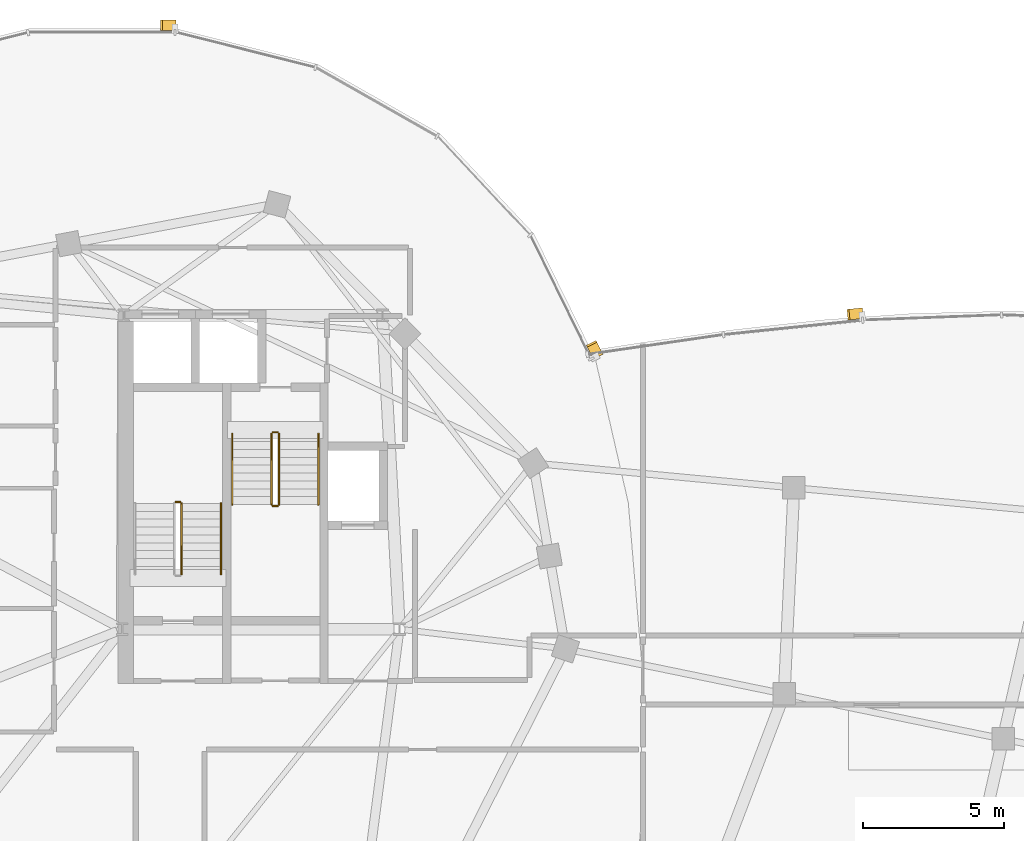
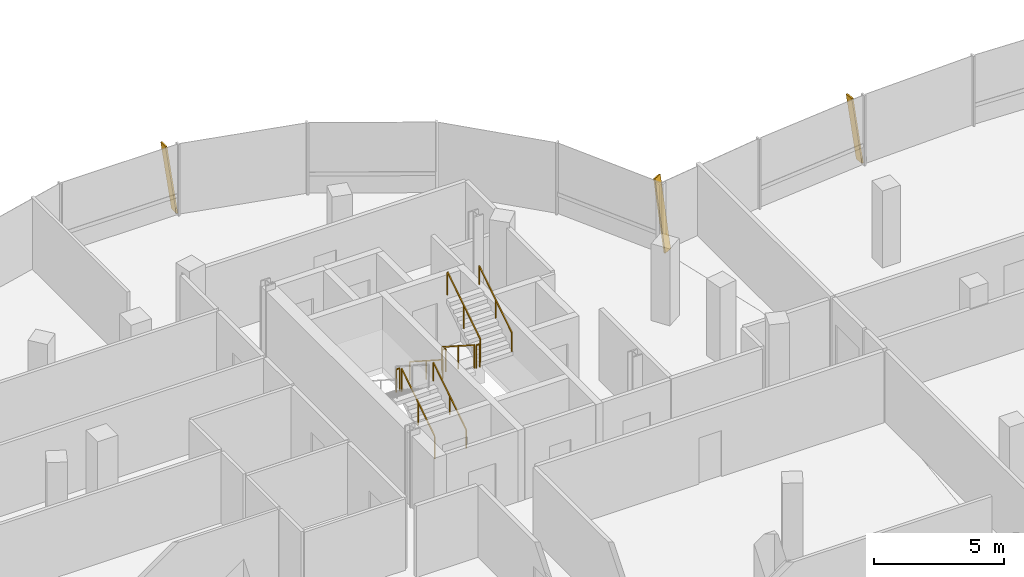
# One storey, part 23 of 25: 9 railings, 3 shading devices.
"""IFC4 building model written with IfcOpenShell, lengths in metres."""

from ifc_helpers import new_model, si_unit, direction, frame, origin, origin_2d, place, context, subcontext, project, spatial, rectangle, extrude, material, material_profile, profile_set, type_object, element, save


model = new_model("IFC4")

# Units and contexts
model_context = context("Model", 3, precision=1e-05, world=origin(), true_north=direction((0.0, 1.0)))
body_context = subcontext(model_context, "Body", "Model", "MODEL_VIEW")
ifc_project = project(units=[si_unit("LENGTHUNIT", "METRE"), si_unit("AREAUNIT", "SQUARE_METRE"), si_unit("VOLUMEUNIT", "CUBIC_METRE"), si_unit("PLANEANGLEUNIT", "RADIAN"), si_unit("MASSUNIT", "GRAM", prefix="KILO"), si_unit("THERMODYNAMICTEMPERATUREUNIT", "KELVIN"), si_unit("POWERUNIT", "WATT")], contexts=[model_context])

# Site, building, storey
site_placement = place(None, origin())
site = spatial("IfcSite", under=ifc_project, at=site_placement, CompositionType="ELEMENT")
building_placement = place(site_placement, origin())
building = spatial("IfcBuilding", under=site, at=building_placement, Name="Cundina Bronze Exchange", CompositionType="ELEMENT")
storey_placement = place(building_placement, frame((0.0, 0.0, 254.0)))
storey = spatial("IfcBuildingStorey", under=building, at=storey_placement, Name="L67", CompositionType="ELEMENT", Elevation=254.0)

# Railings
ifc_material_1 = material(Name="Steel ASTM A36 Painted", Category="steel")
railing_type_1 = type_object("IfcRailingType", Name="RLG-HND-900", PredefinedType="HANDRAIL", material=ifc_material_1)
railing_1_placement = place(storey_placement, frame((-27.7900390625, 5.85009765625, 0.179931640625)))
element("IfcRailing", 1, at=railing_1_placement, inside=storey, type_object=railing_type_1, Name="L67 ST-W1 stair handrail 1", PredefinedType="HANDRAIL", context=body_context, shape_type="SweptSolid", body=[
    extrude(rectangle(XDim=0.048095703125, YDim=0.048095703125, at=origin_2d()), frame((0.0, 0.0, 0.8759765625), z_axis=(0.0, 0.841162588446, 0.540782303519), x_axis=(-1.0, 0.0, 0.0)), (0.0, 0.0, 1.0), 2.995849609375),
    extrude(rectangle(XDim=0.0419921875, YDim=0.0419921875, at=origin_2d()), origin(), (0.0, 0.0, 1.0), 0.851806640625),
    extrude(rectangle(XDim=0.0419921875, YDim=0.0419921875, at=origin_2d()), frame((0.0, 1.260009765625, 0.81005859375)), (0.0, 0.0, 1.0), 0.851806640625),
    extrude(rectangle(XDim=0.0419921875, YDim=0.0419921875, at=origin_2d()), frame((0.0, 2.52001953125, 1.6201171875)), (0.0, 0.0, 1.0), 0.851806640625),
])
railing_2_placement = place(storey_placement, frame((-27.389892578125, 10.85009765625, 0.179931640625)))
element("IfcRailing", 2, at=railing_2_placement, inside=storey, type_object=railing_type_1, Name="L67 ST-W2 stair handrail 1", PredefinedType="HANDRAIL", context=body_context, shape_type="SweptSolid", body=[
    extrude(rectangle(XDim=0.048095703125, YDim=0.048095703125, at=origin_2d()), frame((0.0, 0.0, 0.8759765625), z_axis=(0.0, -0.841162588446, 0.540782303519), x_axis=(1.0, 0.0, 0.0)), (0.0, 0.0, 1.0), 2.995849609375),
    extrude(rectangle(XDim=0.0419921875, YDim=0.0419921875, at=origin_2d()), origin(), (0.0, 0.0, 1.0), 0.851806640625),
    extrude(rectangle(XDim=0.0419921875, YDim=0.0419921875, at=origin_2d()), frame((0.0, -1.260009765625, 0.81005859375)), (0.0, 0.0, 1.0), 0.851806640625),
    extrude(rectangle(XDim=0.0419921875, YDim=0.0419921875, at=origin_2d()), frame((0.0, -2.52001953125, 1.6201171875)), (0.0, 0.0, 1.0), 0.851806640625),
])
railing_3_placement = place(storey_placement, frame((-24.330078125, 8.330078125, 1.97998046875)))
element("IfcRailing", 3, at=railing_3_placement, inside=storey, type_object=railing_type_1, Name="L67 ST-W2 stair handrail 2", PredefinedType="HANDRAIL", context=body_context, shape_type="SweptSolid", body=[
    extrude(rectangle(XDim=0.048095703125, YDim=0.048095703125, at=origin_2d()), frame((0.0, 0.0, 0.8759765625), z_axis=(0.0, 0.841162588446, 0.540782303519), x_axis=(-1.0, 0.0, 0.0)), (0.0, 0.0, 1.0), 2.995849609375),
    extrude(rectangle(XDim=0.0419921875, YDim=0.0419921875, at=origin_2d()), origin(), (0.0, 0.0, 1.0), 0.851806640625),
    extrude(rectangle(XDim=0.0419921875, YDim=0.0419921875, at=origin_2d()), frame((0.0, 1.260009765625, 0.81005859375)), (0.0, 0.0, 1.0), 0.851806640625),
    extrude(rectangle(XDim=0.0419921875, YDim=0.0419921875, at=origin_2d()), frame((0.0, 2.52001953125, 1.6201171875)), (0.0, 0.0, 1.0), 0.851806640625),
])
railing_type_2 = type_object("IfcRailingType", Name="RLG-STG-1100", PredefinedType="GUARDRAIL", material=ifc_material_1)
railing_4_placement = place(storey_placement, frame((-29.18994140625, 5.85009765625, 0.179931640625)))
element("IfcRailing", 4, at=railing_4_placement, inside=storey, type_object=railing_type_2, Name="L67 ST-W1 stair guard 1", PredefinedType="GUARDRAIL", context=body_context, shape_type="SweptSolid", body=[
    extrude(rectangle(XDim=0.048095703125, YDim=0.048095703125, at=origin_2d()), frame((0.0, 0.0, 1.076171875), z_axis=(0.0, 0.841162588446, 0.540782303519), x_axis=(-1.0, 0.0, 0.0)), (0.0, 0.0, 1.0), 2.995849609375),
    extrude(rectangle(XDim=0.0419921875, YDim=0.0419921875, at=origin_2d()), origin(), (0.0, 0.0, 1.0), 1.052001953125),
    extrude(rectangle(XDim=0.0419921875, YDim=0.0419921875, at=origin_2d()), frame((0.0, 1.260009765625, 0.81005859375)), (0.0, 0.0, 1.0), 1.052001953125),
    extrude(rectangle(XDim=0.0419921875, YDim=0.0419921875, at=origin_2d()), frame((0.0, 2.52001953125, 1.6201171875)), (0.0, 0.0, 1.0), 1.052001953125),
])
railing_5_placement = place(storey_placement, frame((-29.239990234375, 8.419921875, 1.800048828125)))
element("IfcRailing", 5, at=railing_5_placement, inside=storey, type_object=railing_type_2, Name="L67 ST-W1 stair guard 2", PredefinedType="GUARDRAIL", context=body_context, shape_type="SweptSolid", body=[
    extrude(rectangle(XDim=0.048095703125, YDim=0.048095703125, at=origin_2d()), frame((0.0, 0.0, 1.076171875), z_axis=(-1.0, 0.0, 0.0), x_axis=(0.0, -1.0, 0.0)), (0.0, 0.0, 1.0), 0.159912109375),
    extrude(rectangle(XDim=0.0419921875, YDim=0.0419921875, at=origin_2d()), origin(), (0.0, 0.0, 1.0), 1.052001953125),
    extrude(rectangle(XDim=0.0419921875, YDim=0.0419921875, at=origin_2d()), frame((-0.159912109375, 0.0, 0.0)), (0.0, 0.0, 1.0), 1.052001953125),
])
railing_6_placement = place(storey_placement, frame((-25.989990234375, 10.85009765625, 0.179931640625)))
element("IfcRailing", 6, at=railing_6_placement, inside=storey, type_object=railing_type_2, Name="L67 ST-W2 stair guard 1", PredefinedType="GUARDRAIL", context=body_context, shape_type="SweptSolid", body=[
    extrude(rectangle(XDim=0.048095703125, YDim=0.048095703125, at=origin_2d()), frame((0.0, 0.0, 1.076171875), z_axis=(0.0, -0.841162588446, 0.540782303519), x_axis=(1.0, 0.0, 0.0)), (0.0, 0.0, 1.0), 2.995849609375),
    extrude(rectangle(XDim=0.0419921875, YDim=0.0419921875, at=origin_2d()), origin(), (0.0, 0.0, 1.0), 1.052001953125),
    extrude(rectangle(XDim=0.0419921875, YDim=0.0419921875, at=origin_2d()), frame((0.0, -1.260009765625, 0.81005859375)), (0.0, 0.0, 1.0), 1.052001953125),
    extrude(rectangle(XDim=0.0419921875, YDim=0.0419921875, at=origin_2d()), frame((0.0, -2.52001953125, 1.6201171875)), (0.0, 0.0, 1.0), 1.052001953125),
])
railing_7_placement = place(storey_placement, frame((-25.93994140625, 8.280029296875, 1.800048828125)))
element("IfcRailing", 7, at=railing_7_placement, inside=storey, type_object=railing_type_2, Name="L67 ST-W2 stair guard 2", PredefinedType="GUARDRAIL", context=body_context, shape_type="SweptSolid", body=[
    extrude(rectangle(XDim=0.048095703125, YDim=0.048095703125, at=origin_2d()), frame((0.0, 0.0, 1.076171875), z_axis=(1.0, 0.0, 0.0), x_axis=(0.0, 1.0, 0.0)), (0.0, 0.0, 1.0), 0.159912109375),
    extrude(rectangle(XDim=0.0419921875, YDim=0.0419921875, at=origin_2d()), origin(), (0.0, 0.0, 1.0), 1.052001953125),
    extrude(rectangle(XDim=0.0419921875, YDim=0.0419921875, at=origin_2d()), frame((0.159912109375, 0.0, 0.0)), (0.0, 0.0, 1.0), 1.052001953125),
])
railing_8_placement = place(storey_placement, frame((-25.72998046875, 8.330078125, 1.97998046875)))
element("IfcRailing", 8, at=railing_8_placement, inside=storey, type_object=railing_type_2, Name="L67 ST-W2 stair guard 3", PredefinedType="GUARDRAIL", context=body_context, shape_type="SweptSolid", body=[
    extrude(rectangle(XDim=0.048095703125, YDim=0.048095703125, at=origin_2d()), frame((0.0, 0.0, 1.076171875), z_axis=(0.0, 0.841162588446, 0.540782303519), x_axis=(-1.0, 0.0, 0.0)), (0.0, 0.0, 1.0), 2.995849609375),
    extrude(rectangle(XDim=0.0419921875, YDim=0.0419921875, at=origin_2d()), origin(), (0.0, 0.0, 1.0), 1.052001953125),
    extrude(rectangle(XDim=0.0419921875, YDim=0.0419921875, at=origin_2d()), frame((0.0, 1.260009765625, 0.81005859375)), (0.0, 0.0, 1.0), 1.052001953125),
    extrude(rectangle(XDim=0.0419921875, YDim=0.0419921875, at=origin_2d()), frame((0.0, 2.52001953125, 1.6201171875)), (0.0, 0.0, 1.0), 1.052001953125),
])
railing_9_placement = place(storey_placement, frame((-25.93994140625, 10.89990234375, 0.0)))
element("IfcRailing", 9, at=railing_9_placement, inside=storey, type_object=railing_type_2, Name="L67 ST-W2 stair guard 4", PredefinedType="GUARDRAIL", context=body_context, shape_type="SweptSolid", body=[
    extrude(rectangle(XDim=0.048095703125, YDim=0.048095703125, at=origin_2d()), frame((0.0, 0.0, 1.076171875), z_axis=(1.0, 0.0, 0.0), x_axis=(0.0, 1.0, 0.0)), (0.0, 0.0, 1.0), 0.159912109375),
    extrude(rectangle(XDim=0.0419921875, YDim=0.0419921875, at=origin_2d()), origin(), (0.0, 0.0, 1.0), 1.052001953125),
    extrude(rectangle(XDim=0.0419921875, YDim=0.0419921875, at=origin_2d()), frame((0.159912109375, 0.0, 0.0)), (0.0, 0.0, 1.0), 1.052001953125),
])

# Shading devices
ifc_material_2 = material(Name="Anodised Bronze Aluminium 6063-T6", Category="aluminium")
ifc_material_profile = material_profile(ifc_material_2, rectangle(XDim=0.070068359375, YDim=0.3798828125, at=origin_2d()), Name="FIN70X380", Category="aluminium")
ifc_profile_set = profile_set([ifc_material_profile], Name="Anodised Bronze Aluminium 6063-T6")
shading_device_type = type_object("IfcShadingDeviceType", Name="SHD-FIN-BRZ380", PredefinedType="USERDEFINED", material=ifc_profile_set)
for number, where, z_axis, x_axis, name in (
    (10, (-14.406494140625, 13.614013671875, 0.02001953125), (-0.063400368732, 0.129216686851, 0.989587510574), (0.435900311632, -0.888411143223, 0.143932480407), "L67 Diagonal Bronze Solar Fin 1"),
    (11, (-29.423583984375, 25.360107421875, 0.02001953125), (-0.143932024572, 0.0, 0.989587576874), (0.989587576874, 0.0, 0.143932024572), "L67 Diagonal Bronze Solar Fin 5"),
):
    element("IfcShadingDevice", number, at=place(storey_placement, frame(where, z_axis=z_axis, x_axis=x_axis)), inside=storey, type_object=shading_device_type, Name=name, ObjectType="FIN", PredefinedType="USERDEFINED", context=body_context, shape_type="SweptSolid", body=[
        extrude(rectangle(XDim=0.070068359375, YDim=0.3798828125, at=origin_2d()), origin(), (0.0, 0.0, 1.0), 3.334716796875),
    ])
shading_device_placement = place(storey_placement, frame((-5.0146484375, 15.12890625, 0.02001953125), z_axis=(-0.145724273631, -0.015056932621, 0.989210657471), x_axis=(0.983972150742, 0.101668733734, 0.14650008582)))
element("IfcShadingDevice", 12, at=shading_device_placement, inside=storey, type_object=shading_device_type, Name="L67 Diagonal Bronze Solar Fin 5", ObjectType="FIN", PredefinedType="USERDEFINED", context=body_context, shape_type="SweptSolid", body=[
    extrude(rectangle(XDim=0.070068359375, YDim=0.3798828125, at=origin_2d()), origin(), (0.0, 0.0, 1.0), 3.275390625),
])

save(model, "model.ifc")
